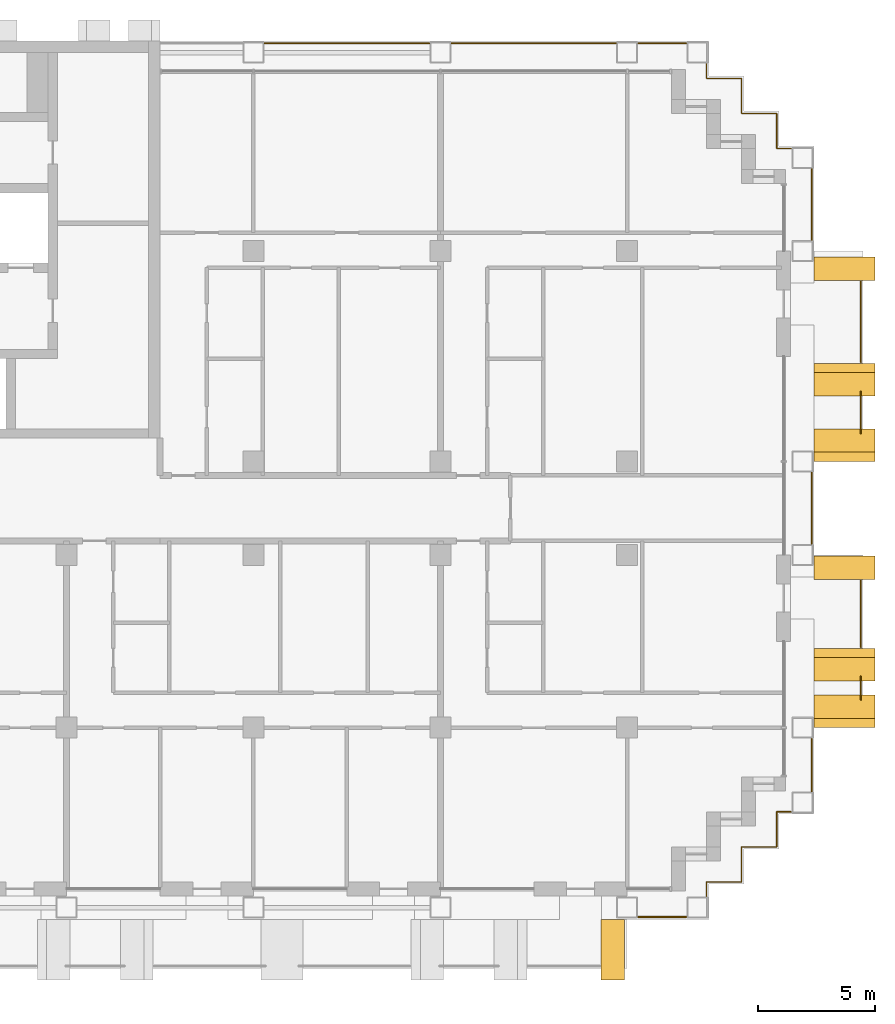
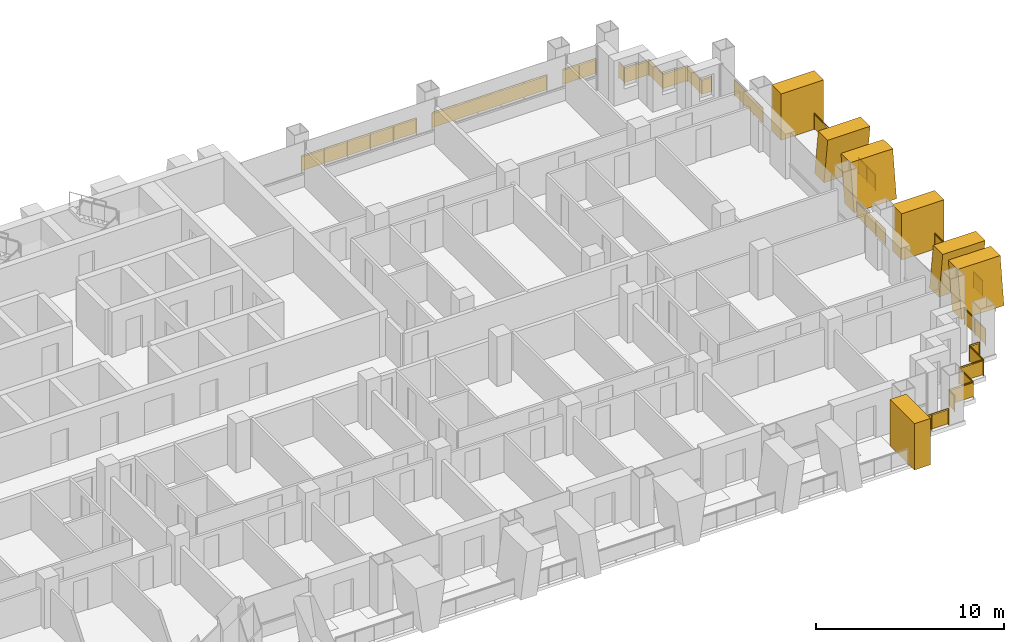
# One storey, part 17 of 17: 13 railings, 7 shading devices.
"""IFC4 building model written with IfcOpenShell, lengths in metres."""

from ifc_helpers import new_model, si_unit, direction, frame, origin, origin_2d, place, context, subcontext, project, spatial, polyline, rectangle, circle, outline, extrude, material, layer, layer_set, type_object, element, save


model = new_model("IFC4")

# Units and contexts
model_context = context("Model", 3, precision=1e-05, world=origin(), true_north=direction((0.0, 1.0)))
body_context = subcontext(model_context, "Body", "Model", "MODEL_VIEW")
ifc_project = project(units=[si_unit("LENGTHUNIT", "METRE"), si_unit("AREAUNIT", "SQUARE_METRE"), si_unit("VOLUMEUNIT", "CUBIC_METRE"), si_unit("PLANEANGLEUNIT", "RADIAN"), si_unit("MASSUNIT", "GRAM", prefix="KILO")], contexts=[model_context])

# Site, building, storey
site_placement = place(None, origin())
site = spatial("IfcSite", under=ifc_project, at=site_placement, CompositionType="ELEMENT")
building_placement = place(site_placement, origin())
building = spatial("IfcBuilding", under=site, at=building_placement, Name="Vidyagriha Tower", CompositionType="ELEMENT")
storey_placement = place(building_placement, frame((0.0, 0.0, 77.5)))
storey = spatial("IfcBuildingStorey", under=building, at=storey_placement, Name="L19", CompositionType="ELEMENT", Elevation=77.5)

# Railings
ifc_material_1 = material(Name="Steel ASTM A500 Grade C black painted", Category="steel")
railing_type_1 = type_object("IfcRailingType", Name="Balcony guard 1100", PredefinedType="BALUSTRADE", material=ifc_material_1)
railing_1_placement = place(storey_placement, frame((44.0, -8.19677734375, 0.0)))
element("IfcRailing", 1, at=railing_1_placement, inside=storey, type_object=railing_type_1, Name="Balcony guard L19 R30.1-1", PredefinedType="BALUSTRADE", context=body_context, shape_type="SweptSolid", body=[
    extrude(circle(Radius=0.02490234375, at=origin_2d()), frame((0.0, 0.0, 1.0751953125), z_axis=(0.0, 1.0, 0.0), x_axis=(-1.0, 0.0, 0.0)), (0.0, 0.0, 1.0), 0.993408203125),
    extrude(circle(Radius=0.02001953125, at=origin_2d()), origin(), (0.0, 0.0, 1.0), 1.050048828125),
    extrude(circle(Radius=0.02001953125, at=origin_2d()), frame((0.0, 0.993408203125, 0.0)), (0.0, 0.0, 1.0), 1.050048828125),
    extrude(rectangle(XDim=0.010009765625, YDim=0.900146484375, at=origin_2d()), frame((0.0, 0.0, 0.550048828125), z_axis=(0.0, 1.0, 0.0), x_axis=(-1.0, 0.0, 0.0)), (0.0, 0.0, 1.0), 0.993408203125),
])
railing_2_placement = place(storey_placement, frame((44.0, -5.949951171875, 0.0)))
element("IfcRailing", 2, at=railing_2_placement, inside=storey, type_object=railing_type_1, Name="Balcony guard L19 R30.1-2", PredefinedType="BALUSTRADE", context=body_context, shape_type="SweptSolid", body=[
    extrude(circle(Radius=0.02490234375, at=origin_2d()), frame((0.0, 0.0, 1.0751953125), z_axis=(0.0, 1.0, 0.0), x_axis=(-1.0, 0.0, 0.0)), (0.0, 0.0, 1.0), 2.849853515625),
    extrude(circle(Radius=0.02001953125, at=origin_2d()), origin(), (0.0, 0.0, 1.0), 1.050048828125),
    extrude(circle(Radius=0.02001953125, at=origin_2d()), frame((0.0, 0.949951171875, 0.0)), (0.0, 0.0, 1.0), 1.050048828125),
    extrude(circle(Radius=0.02001953125, at=origin_2d()), frame((0.0, 1.89990234375, 0.0)), (0.0, 0.0, 1.0), 1.050048828125),
    extrude(circle(Radius=0.02001953125, at=origin_2d()), frame((0.0, 2.849853515625, 0.0)), (0.0, 0.0, 1.0), 1.050048828125),
    extrude(rectangle(XDim=0.010009765625, YDim=0.900146484375, at=origin_2d()), frame((0.0, 0.0, 0.550048828125), z_axis=(0.0, 1.0, 0.0), x_axis=(-1.0, 0.0, 0.0)), (0.0, 0.0, 1.0), 2.849853515625),
])
railing_3_placement = place(storey_placement, frame((44.0, 3.203369140625, 0.0)))
element("IfcRailing", 3, at=railing_3_placement, inside=storey, type_object=railing_type_1, Name="Balcony guard L19 R30.2-1", PredefinedType="BALUSTRADE", context=body_context, shape_type="SweptSolid", body=[
    extrude(circle(Radius=0.02490234375, at=origin_2d()), frame((0.0, 0.0, 1.0751953125), z_axis=(0.0, 1.0, 0.0), x_axis=(-1.0, 0.0, 0.0)), (0.0, 0.0, 1.0), 1.793212890625),
    extrude(circle(Radius=0.02001953125, at=origin_2d()), origin(), (0.0, 0.0, 1.0), 1.050048828125),
    extrude(circle(Radius=0.02001953125, at=origin_2d()), frame((0.0, 0.896484375, 0.0)), (0.0, 0.0, 1.0), 1.050048828125),
    extrude(circle(Radius=0.02001953125, at=origin_2d()), frame((0.0, 1.793212890625, 0.0)), (0.0, 0.0, 1.0), 1.050048828125),
    extrude(rectangle(XDim=0.010009765625, YDim=0.900146484375, at=origin_2d()), frame((0.0, 0.0, 0.550048828125), z_axis=(0.0, 1.0, 0.0), x_axis=(-1.0, 0.0, 0.0)), (0.0, 0.0, 1.0), 1.793212890625),
])
railing_4_placement = place(storey_placement, frame((44.0, 6.25, 0.0)))
element("IfcRailing", 4, at=railing_4_placement, inside=storey, type_object=railing_type_1, Name="Balcony guard L19 R30.2-2", PredefinedType="BALUSTRADE", context=body_context, shape_type="SweptSolid", body=[
    extrude(circle(Radius=0.02490234375, at=origin_2d()), frame((0.0, 0.0, 1.0751953125), z_axis=(0.0, 1.0, 0.0), x_axis=(-1.0, 0.0, 0.0)), (0.0, 0.0, 1.0), 3.449951171875),
    extrude(circle(Radius=0.02001953125, at=origin_2d()), origin(), (0.0, 0.0, 1.0), 1.050048828125),
    extrude(circle(Radius=0.02001953125, at=origin_2d()), frame((0.0, 1.14990234375, 0.0)), (0.0, 0.0, 1.0), 1.050048828125),
    extrude(circle(Radius=0.02001953125, at=origin_2d()), frame((0.0, 2.300048828125, 0.0)), (0.0, 0.0, 1.0), 1.050048828125),
    extrude(circle(Radius=0.02001953125, at=origin_2d()), frame((0.0, 3.449951171875, 0.0)), (0.0, 0.0, 1.0), 1.050048828125),
    extrude(rectangle(XDim=0.010009765625, YDim=0.900146484375, at=origin_2d()), frame((0.0, 0.0, 0.550048828125), z_axis=(0.0, 1.0, 0.0), x_axis=(-1.0, 0.0, 0.0)), (0.0, 0.0, 1.0), 3.449951171875),
])

# Shading devices
ifc_material_2 = material(Name="Precast concrete C40/50 with buff brick facing", Category="concrete")
ifc_layer_1 = layer(ifc_material_2, 1.0)
ifc_layer_set_1 = layer_set([ifc_layer_1], Name="Precast concrete C40/50 with buff brick facing")
shading_device_type_1 = type_object("IfcShadingDeviceType", Name="Brick-faced blade fin arm leaning 8 degrees", PredefinedType="USERDEFINED", material=ifc_layer_set_1)
shading_device_1_placement = place(storey_placement, frame((43.300048828125, -9.39990234375, 0.0), z_axis=(0.0, 0.0, 1.0), x_axis=(0.0, 1.0, 0.0)))
element("IfcShadingDevice", 5, at=shading_device_1_placement, inside=storey, type_object=shading_device_type_1, Name="Leaning blade fin L19 R30.210a", ObjectType="BLADE FIN", PredefinedType="USERDEFINED", context=body_context, shape_type="SweptSolid", body=[
    extrude(outline(polyline([(0.0, 0.0), (1.0, 0.0), (1.39990234375, 3.0), (0.39990234375, 3.0), (0.0, 0.0)])), frame((0.0, 1.300048828125, 0.0), z_axis=(0.0, -1.0, 0.0), x_axis=(1.0, 0.0, 0.0)), (0.0, 0.0, 1.0), 2.60009765625),
])
shading_device_2_placement = place(storey_placement, frame((43.300048828125, -7.39990234375, 0.0), z_axis=(0.0, 0.0, 1.0), x_axis=(0.0, 1.0, 0.0)))
element("IfcShadingDevice", 6, at=shading_device_2_placement, inside=storey, type_object=shading_device_type_1, Name="Leaning blade fin L19 R30.210b", ObjectType="BLADE FIN", PredefinedType="USERDEFINED", context=body_context, shape_type="SweptSolid", body=[
    extrude(outline(polyline([(0.39990234375, 0.0), (1.39990234375, 0.0), (1.0, 3.0), (0.0, 3.0), (0.39990234375, 0.0)])), frame((0.0, 1.300048828125, 0.0), z_axis=(0.0, -1.0, 0.0), x_axis=(1.0, 0.0, 0.0)), (0.0, 0.0, 1.0), 2.60009765625),
])
shading_device_3_placement = place(storey_placement, frame((43.300048828125, 2.0, 0.0), z_axis=(0.0, 0.0, 1.0), x_axis=(0.0, 1.0, 0.0)))
element("IfcShadingDevice", 7, at=shading_device_3_placement, inside=storey, type_object=shading_device_type_1, Name="Leaning blade fin L19 R30.1350a", ObjectType="BLADE FIN", PredefinedType="USERDEFINED", context=body_context, shape_type="SweptSolid", body=[
    extrude(outline(polyline([(0.0, 0.0), (1.0, 0.0), (1.39990234375, 3.0), (0.39990234375, 3.0), (0.0, 0.0)])), frame((0.0, 1.300048828125, 0.0), z_axis=(0.0, -1.0, 0.0), x_axis=(1.0, 0.0, 0.0)), (0.0, 0.0, 1.0), 2.60009765625),
])
shading_device_4_placement = place(storey_placement, frame((43.300048828125, 4.800048828125, 0.0), z_axis=(0.0, 0.0, 1.0), x_axis=(0.0, 1.0, 0.0)))
element("IfcShadingDevice", 8, at=shading_device_4_placement, inside=storey, type_object=shading_device_type_1, Name="Leaning blade fin L19 R30.1350b", ObjectType="BLADE FIN", PredefinedType="USERDEFINED", context=body_context, shape_type="SweptSolid", body=[
    extrude(outline(polyline([(0.39990234375, 0.0), (1.39990234375, 0.0), (1.0, 3.0), (0.0, 3.0), (0.39990234375, 0.0)])), frame((0.0, 1.300048828125, 0.0), z_axis=(0.0, -1.0, 0.0), x_axis=(1.0, 0.0, 0.0)), (0.0, 0.0, 1.0), 2.60009765625),
])
ifc_material_3 = material(Name="Precast concrete C40/50 with buff brick facing", Category="concrete")
ifc_layer_2 = layer(ifc_material_3, 1.0)
ifc_layer_set_2 = layer_set([ifc_layer_2], Name="Precast concrete C40/50 with buff brick facing")
shading_device_type_2 = type_object("IfcShadingDeviceType", Name="Brick-faced blade fin stem 1000", PredefinedType="USERDEFINED", material=ifc_layer_set_2)
shading_device_5_placement = place(storey_placement, frame((32.875, -18.89990234375, 0.0)))
element("IfcShadingDevice", 9, at=shading_device_5_placement, inside=storey, type_object=shading_device_type_2, Name="Stem blade fin L19 R23.5790a", ObjectType="BLADE FIN", PredefinedType="USERDEFINED", context=body_context, shape_type="SweptSolid", body=[
    extrude(outline(polyline([(0.0, 0.0), (1.0, 0.0), (1.0, 3.0), (0.0, 3.0), (0.0, 0.0)])), frame((0.0, 1.300048828125, 0.0), z_axis=(0.0, -1.0, 0.0), x_axis=(1.0, 0.0, 0.0)), (0.0, 0.0, 1.0), 2.60009765625),
])
for number, where, z_axis, x_axis, name in (
    (10, (43.300048828125, -3.050048828125, 0.0), (0.0, 0.0, 1.0), (0.0, 1.0, 0.0), "Stem blade fin L19 R30.950a"),
    (11, (43.300048828125, 9.75, 0.0), (0.0, 0.0, 1.0), (0.0, 1.0, 0.0), "Stem blade fin L19 R30.2250a"),
):
    element("IfcShadingDevice", number, at=place(storey_placement, frame(where, z_axis=z_axis, x_axis=x_axis)), inside=storey, type_object=shading_device_type_2, Name=name, ObjectType="BLADE FIN", PredefinedType="USERDEFINED", context=body_context, shape_type="SweptSolid", body=[
        extrude(outline(polyline([(0.0, 0.0), (1.0, 0.0), (1.0, 3.0), (0.0, 3.0), (0.0, 0.0)])), frame((0.0, 1.300048828125, 0.0), z_axis=(0.0, -1.0, 0.0), x_axis=(1.0, 0.0, 0.0)), (0.0, 0.0, 1.0), 2.60009765625),
    ])

# Railings
ifc_material_4 = material(Name="Steel ASTM A500 Grade C black painted", Category="steel")
railing_type_2 = type_object("IfcRailingType", Name="Gallery guard 1100", PredefinedType="GUARDRAIL", material=ifc_material_4)
for number, where, name in (
    (12, (18.47998046875, 19.89990234375, 0.0), "Gallery guard L19 10"),
    (13, (26.47998046875, 19.89990234375, 0.0), "Gallery guard L19 11"),
):
    element("IfcRailing", number, at=place(storey_placement, frame(where)), inside=storey, type_object=railing_type_2, Name=name, PredefinedType="GUARDRAIL", context=body_context, shape_type="SweptSolid", body=[
        extrude(circle(Radius=0.02490234375, at=origin_2d()), frame((0.0, 0.0, 1.0751953125), z_axis=(1.0, 0.0, 0.0), x_axis=(0.0, 1.0, 0.0)), (0.0, 0.0, 1.0), 7.0400390625),
        extrude(circle(Radius=0.02001953125, at=origin_2d()), origin(), (0.0, 0.0, 1.0), 1.050048828125),
        extrude(circle(Radius=0.02001953125, at=origin_2d()), frame((1.407958984375, 0.0, 0.0)), (0.0, 0.0, 1.0), 1.050048828125),
        extrude(circle(Radius=0.02001953125, at=origin_2d()), frame((2.81591796875, 0.0, 0.0)), (0.0, 0.0, 1.0), 1.050048828125),
        extrude(circle(Radius=0.02001953125, at=origin_2d()), frame((4.22412109375, 0.0, 0.0)), (0.0, 0.0, 1.0), 1.050048828125),
        extrude(circle(Radius=0.02001953125, at=origin_2d()), frame((5.632080078125, 0.0, 0.0)), (0.0, 0.0, 1.0), 1.050048828125),
        extrude(circle(Radius=0.02001953125, at=origin_2d()), frame((7.0400390625, 0.0, 0.0)), (0.0, 0.0, 1.0), 1.050048828125),
        extrude(rectangle(XDim=0.010009765625, YDim=0.900146484375, at=origin_2d()), frame((0.0, 0.0, 0.550048828125), z_axis=(1.0, 0.0, 0.0), x_axis=(0.0, 1.0, 0.0)), (0.0, 0.0, 1.0), 7.0400390625),
    ])
railing_5_placement = place(storey_placement, frame((36.52001953125, -17.5, 0.0)))
element("IfcRailing", 14, at=railing_5_placement, inside=storey, type_object=railing_type_2, Name="Gallery guard L19 12", PredefinedType="GUARDRAIL", context=body_context, shape_type="SweptSolid", body=[
    extrude(circle(Radius=0.02490234375, at=origin_2d()), frame((0.0, 0.0, 1.0751953125), z_axis=(-1.0, 0.0, 0.0), x_axis=(0.0, -1.0, 0.0)), (0.0, 0.0, 1.0), 2.0400390625),
    extrude(circle(Radius=0.02001953125, at=origin_2d()), origin(), (0.0, 0.0, 1.0), 1.050048828125),
    extrude(circle(Radius=0.02001953125, at=origin_2d()), frame((-1.02001953125, 0.0, 0.0)), (0.0, 0.0, 1.0), 1.050048828125),
    extrude(circle(Radius=0.02001953125, at=origin_2d()), frame((-2.0400390625, 0.0, 0.0)), (0.0, 0.0, 1.0), 1.050048828125),
    extrude(rectangle(XDim=0.010009765625, YDim=0.900146484375, at=origin_2d()), frame((0.0, 0.0, 0.550048828125), z_axis=(-1.0, 0.0, 0.0), x_axis=(0.0, -1.0, 0.0)), (0.0, 0.0, 1.0), 2.0400390625),
])
railing_6_placement = place(storey_placement, frame((34.47998046875, 19.89990234375, 0.0)))
element("IfcRailing", 15, at=railing_6_placement, inside=storey, type_object=railing_type_2, Name="Gallery guard L19 13", PredefinedType="GUARDRAIL", context=body_context, shape_type="SweptSolid", body=[
    extrude(circle(Radius=0.02490234375, at=origin_2d()), frame((0.0, 0.0, 1.0751953125), z_axis=(1.0, 0.0, 0.0), x_axis=(0.0, 1.0, 0.0)), (0.0, 0.0, 1.0), 2.0400390625),
    extrude(circle(Radius=0.02001953125, at=origin_2d()), origin(), (0.0, 0.0, 1.0), 1.050048828125),
    extrude(circle(Radius=0.02001953125, at=origin_2d()), frame((1.02001953125, 0.0, 0.0)), (0.0, 0.0, 1.0), 1.050048828125),
    extrude(circle(Radius=0.02001953125, at=origin_2d()), frame((2.0400390625, 0.0, 0.0)), (0.0, 0.0, 1.0), 1.050048828125),
    extrude(rectangle(XDim=0.010009765625, YDim=0.900146484375, at=origin_2d()), frame((0.0, 0.0, 0.550048828125), z_axis=(1.0, 0.0, 0.0), x_axis=(0.0, 1.0, 0.0)), (0.0, 0.0, 1.0), 2.0400390625),
])
railing_7_placement = place(storey_placement, frame((41.02001953125, -13.0, 0.0)))
element("IfcRailing", 16, at=railing_7_placement, inside=storey, type_object=railing_type_2, Name="Gallery guard L19 14", PredefinedType="GUARDRAIL", context=body_context, shape_type="SweptSolid", body=[
    extrude(circle(Radius=0.02490234375, at=origin_2d()), frame((0.0, 0.0, 1.0751953125), z_axis=(-1.0, 0.0, 0.0), x_axis=(0.0, -1.0, 0.0)), (0.0, 0.0, 1.0), 0.6201171875),
    extrude(circle(Radius=0.02490234375, at=origin_2d()), frame((-0.6201171875, 0.0, 1.0751953125), z_axis=(0.0, -1.0, 0.0), x_axis=(1.0, 0.0, 0.0)), (0.0, 0.0, 1.0), 1.5),
    extrude(circle(Radius=0.02490234375, at=origin_2d()), frame((-0.6201171875, -1.5, 1.0751953125), z_axis=(-1.0, 0.0, 0.0), x_axis=(0.0, -1.0, 0.0)), (0.0, 0.0, 1.0), 1.5),
    extrude(circle(Radius=0.02490234375, at=origin_2d()), frame((-2.1201171875, -1.5, 1.0751953125), z_axis=(0.0, -1.0, 0.0), x_axis=(1.0, 0.0, 0.0)), (0.0, 0.0, 1.0), 1.5),
    extrude(circle(Radius=0.02490234375, at=origin_2d()), frame((-2.1201171875, -3.0, 1.0751953125), z_axis=(-1.0, 0.0, 0.0), x_axis=(0.0, -1.0, 0.0)), (0.0, 0.0, 1.0), 1.5),
    extrude(circle(Radius=0.02490234375, at=origin_2d()), frame((-3.6201171875, -3.0, 1.0751953125), z_axis=(0.0, -1.0, 0.0), x_axis=(1.0, 0.0, 0.0)), (0.0, 0.0, 1.0), 0.6201171875),
    extrude(circle(Radius=0.02001953125, at=origin_2d()), origin(), (0.0, 0.0, 1.0), 1.050048828125),
    extrude(circle(Radius=0.02001953125, at=origin_2d()), frame((-0.6201171875, 0.0, 0.0)), (0.0, 0.0, 1.0), 1.050048828125),
    extrude(circle(Radius=0.02001953125, at=origin_2d()), frame((-0.6201171875, -1.5, 0.0)), (0.0, 0.0, 1.0), 1.050048828125),
    extrude(circle(Radius=0.02001953125, at=origin_2d()), frame((-2.1201171875, -1.5, 0.0)), (0.0, 0.0, 1.0), 1.050048828125),
    extrude(circle(Radius=0.02001953125, at=origin_2d()), frame((-2.1201171875, -3.0, 0.0)), (0.0, 0.0, 1.0), 1.050048828125),
    extrude(circle(Radius=0.02001953125, at=origin_2d()), frame((-3.6201171875, -3.0, 0.0)), (0.0, 0.0, 1.0), 1.050048828125),
    extrude(circle(Radius=0.02001953125, at=origin_2d()), frame((-3.6201171875, -3.6201171875, 0.0)), (0.0, 0.0, 1.0), 1.050048828125),
    extrude(rectangle(XDim=0.010009765625, YDim=0.900146484375, at=origin_2d()), frame((0.0, 0.0, 0.550048828125), z_axis=(-1.0, 0.0, 0.0), x_axis=(0.0, -1.0, 0.0)), (0.0, 0.0, 1.0), 0.6201171875),
    extrude(rectangle(XDim=0.010009765625, YDim=0.900146484375, at=origin_2d()), frame((-0.6201171875, 0.0, 0.550048828125), z_axis=(0.0, -1.0, 0.0), x_axis=(1.0, 0.0, 0.0)), (0.0, 0.0, 1.0), 1.5),
    extrude(rectangle(XDim=0.010009765625, YDim=0.900146484375, at=origin_2d()), frame((-0.6201171875, -1.5, 0.550048828125), z_axis=(-1.0, 0.0, 0.0), x_axis=(0.0, -1.0, 0.0)), (0.0, 0.0, 1.0), 1.5),
    extrude(rectangle(XDim=0.010009765625, YDim=0.900146484375, at=origin_2d()), frame((-2.1201171875, -1.5, 0.550048828125), z_axis=(0.0, -1.0, 0.0), x_axis=(1.0, 0.0, 0.0)), (0.0, 0.0, 1.0), 1.5),
    extrude(rectangle(XDim=0.010009765625, YDim=0.900146484375, at=origin_2d()), frame((-2.1201171875, -3.0, 0.550048828125), z_axis=(-1.0, 0.0, 0.0), x_axis=(0.0, -1.0, 0.0)), (0.0, 0.0, 1.0), 1.5),
    extrude(rectangle(XDim=0.010009765625, YDim=0.900146484375, at=origin_2d()), frame((-3.6201171875, -3.0, 0.550048828125), z_axis=(0.0, -1.0, 0.0), x_axis=(1.0, 0.0, 0.0)), (0.0, 0.0, 1.0), 0.6201171875),
])
railing_8_placement = place(storey_placement, frame((37.39990234375, 19.02001953125, 0.0)))
element("IfcRailing", 17, at=railing_8_placement, inside=storey, type_object=railing_type_2, Name="Gallery guard L19 15", PredefinedType="GUARDRAIL", context=body_context, shape_type="SweptSolid", body=[
    extrude(circle(Radius=0.02490234375, at=origin_2d()), frame((0.0, 0.0, 1.0751953125), z_axis=(0.0, -1.0, 0.0), x_axis=(1.0, 0.0, 0.0)), (0.0, 0.0, 1.0), 0.6201171875),
    extrude(circle(Radius=0.02490234375, at=origin_2d()), frame((0.0, -0.6201171875, 1.0751953125), z_axis=(1.0, 0.0, 0.0), x_axis=(0.0, 1.0, 0.0)), (0.0, 0.0, 1.0), 1.5),
    extrude(circle(Radius=0.02490234375, at=origin_2d()), frame((1.5, -0.6201171875, 1.0751953125), z_axis=(0.0, -1.0, 0.0), x_axis=(1.0, 0.0, 0.0)), (0.0, 0.0, 1.0), 1.5),
    extrude(circle(Radius=0.02490234375, at=origin_2d()), frame((1.5, -2.1201171875, 1.0751953125), z_axis=(1.0, 0.0, 0.0), x_axis=(0.0, 1.0, 0.0)), (0.0, 0.0, 1.0), 1.5),
    extrude(circle(Radius=0.02490234375, at=origin_2d()), frame((3.0, -2.1201171875, 1.0751953125), z_axis=(0.0, -1.0, 0.0), x_axis=(1.0, 0.0, 0.0)), (0.0, 0.0, 1.0), 1.5),
    extrude(circle(Radius=0.02490234375, at=origin_2d()), frame((3.0, -3.6201171875, 1.0751953125), z_axis=(1.0, 0.0, 0.0), x_axis=(0.0, 1.0, 0.0)), (0.0, 0.0, 1.0), 0.6201171875),
    extrude(circle(Radius=0.02001953125, at=origin_2d()), origin(), (0.0, 0.0, 1.0), 1.050048828125),
    extrude(circle(Radius=0.02001953125, at=origin_2d()), frame((0.0, -0.6201171875, 0.0)), (0.0, 0.0, 1.0), 1.050048828125),
    extrude(circle(Radius=0.02001953125, at=origin_2d()), frame((1.5, -0.6201171875, 0.0)), (0.0, 0.0, 1.0), 1.050048828125),
    extrude(circle(Radius=0.02001953125, at=origin_2d()), frame((1.5, -2.1201171875, 0.0)), (0.0, 0.0, 1.0), 1.050048828125),
    extrude(circle(Radius=0.02001953125, at=origin_2d()), frame((3.0, -2.1201171875, 0.0)), (0.0, 0.0, 1.0), 1.050048828125),
    extrude(circle(Radius=0.02001953125, at=origin_2d()), frame((3.0, -3.6201171875, 0.0)), (0.0, 0.0, 1.0), 1.050048828125),
    extrude(circle(Radius=0.02001953125, at=origin_2d()), frame((3.6201171875, -3.6201171875, 0.0)), (0.0, 0.0, 1.0), 1.050048828125),
    extrude(rectangle(XDim=0.010009765625, YDim=0.900146484375, at=origin_2d()), frame((0.0, 0.0, 0.550048828125), z_axis=(0.0, -1.0, 0.0), x_axis=(1.0, 0.0, 0.0)), (0.0, 0.0, 1.0), 0.6201171875),
    extrude(rectangle(XDim=0.010009765625, YDim=0.900146484375, at=origin_2d()), frame((0.0, -0.6201171875, 0.550048828125), z_axis=(1.0, 0.0, 0.0), x_axis=(0.0, 1.0, 0.0)), (0.0, 0.0, 1.0), 1.5),
    extrude(rectangle(XDim=0.010009765625, YDim=0.900146484375, at=origin_2d()), frame((1.5, -0.6201171875, 0.550048828125), z_axis=(0.0, -1.0, 0.0), x_axis=(1.0, 0.0, 0.0)), (0.0, 0.0, 1.0), 1.5),
    extrude(rectangle(XDim=0.010009765625, YDim=0.900146484375, at=origin_2d()), frame((1.5, -2.1201171875, 0.550048828125), z_axis=(1.0, 0.0, 0.0), x_axis=(0.0, 1.0, 0.0)), (0.0, 0.0, 1.0), 1.5),
    extrude(rectangle(XDim=0.010009765625, YDim=0.900146484375, at=origin_2d()), frame((3.0, -2.1201171875, 0.550048828125), z_axis=(0.0, -1.0, 0.0), x_axis=(1.0, 0.0, 0.0)), (0.0, 0.0, 1.0), 1.5),
    extrude(rectangle(XDim=0.010009765625, YDim=0.900146484375, at=origin_2d()), frame((3.0, -3.6201171875, 0.550048828125), z_axis=(1.0, 0.0, 0.0), x_axis=(0.0, 1.0, 0.0)), (0.0, 0.0, 1.0), 0.6201171875),
])
railing_9_placement = place(storey_placement, frame((41.89990234375, -9.8798828125, 0.0)))
element("IfcRailing", 18, at=railing_9_placement, inside=storey, type_object=railing_type_2, Name="Gallery guard L19 16", PredefinedType="GUARDRAIL", context=body_context, shape_type="SweptSolid", body=[
    extrude(circle(Radius=0.02490234375, at=origin_2d()), frame((0.0, 0.0, 1.0751953125), z_axis=(0.0, -1.0, 0.0), x_axis=(1.0, 0.0, 0.0)), (0.0, 0.0, 1.0), 2.240234375),
    extrude(circle(Radius=0.02001953125, at=origin_2d()), origin(), (0.0, 0.0, 1.0), 1.050048828125),
    extrude(circle(Radius=0.02001953125, at=origin_2d()), frame((0.0, -1.1201171875, 0.0)), (0.0, 0.0, 1.0), 1.050048828125),
    extrude(circle(Radius=0.02001953125, at=origin_2d()), frame((0.0, -2.240234375, 0.0)), (0.0, 0.0, 1.0), 1.050048828125),
    extrude(rectangle(XDim=0.010009765625, YDim=0.900146484375, at=origin_2d()), frame((0.0, 0.0, 0.550048828125), z_axis=(0.0, -1.0, 0.0), x_axis=(1.0, 0.0, 0.0)), (0.0, 0.0, 1.0), 2.240234375),
])
for number, where, name in (
    (19, (41.89990234375, 1.52001953125, 0.0), "Gallery guard L19 17"),
    (20, (41.89990234375, 14.52001953125, 0.0), "Gallery guard L19 18"),
):
    element("IfcRailing", number, at=place(storey_placement, frame(where)), inside=storey, type_object=railing_type_2, Name=name, PredefinedType="GUARDRAIL", context=body_context, shape_type="SweptSolid", body=[
        extrude(circle(Radius=0.02490234375, at=origin_2d()), frame((0.0, 0.0, 1.0751953125), z_axis=(0.0, -1.0, 0.0), x_axis=(1.0, 0.0, 0.0)), (0.0, 0.0, 1.0), 3.0400390625),
        extrude(circle(Radius=0.02001953125, at=origin_2d()), origin(), (0.0, 0.0, 1.0), 1.050048828125),
        extrude(circle(Radius=0.02001953125, at=origin_2d()), frame((0.0, -1.013427734375, 0.0)), (0.0, 0.0, 1.0), 1.050048828125),
        extrude(circle(Radius=0.02001953125, at=origin_2d()), frame((0.0, -2.026611328125, 0.0)), (0.0, 0.0, 1.0), 1.050048828125),
        extrude(circle(Radius=0.02001953125, at=origin_2d()), frame((0.0, -3.0400390625, 0.0)), (0.0, 0.0, 1.0), 1.050048828125),
        extrude(rectangle(XDim=0.010009765625, YDim=0.900146484375, at=origin_2d()), frame((0.0, 0.0, 0.550048828125), z_axis=(0.0, -1.0, 0.0), x_axis=(1.0, 0.0, 0.0)), (0.0, 0.0, 1.0), 3.0400390625),
    ])

save(model, "model.ifc")
